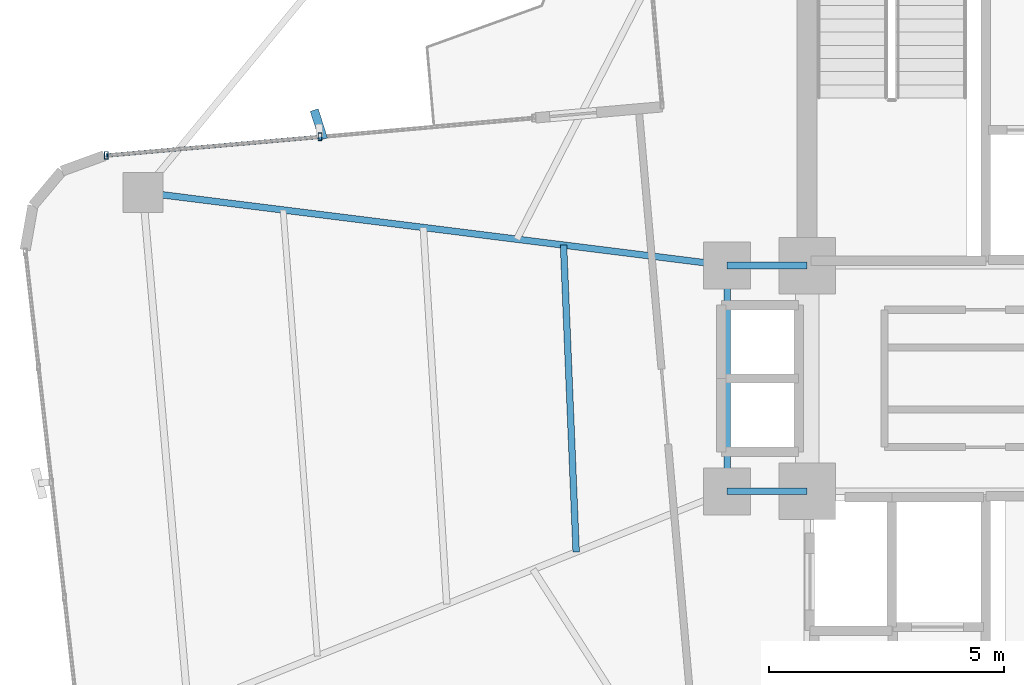
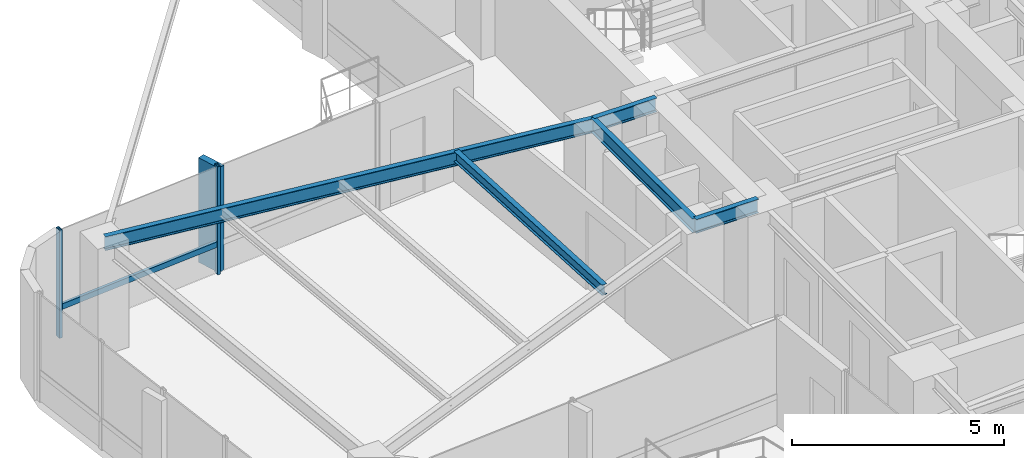
# One storey, part 9 of 24: 5 beams, 4 members, 1 element without a shape of its own.
"""IFC4 building model written with IfcOpenShell, lengths in metres."""

from ifc_helpers import new_model, si_unit, direction, frame, origin, origin_2d, place, context, subcontext, project, spatial, rectangle, hollow_rectangle, i_section, extrude, source, transform, mapped, material, material_profile, profile_set, type_object, element, aggregate, save


model = new_model("IFC4")

# Units and contexts
model_context = context("Model", 3, precision=1e-05, world=origin(), true_north=direction((0.0, 1.0)))
body_context = subcontext(model_context, "Body", "Model", "MODEL_VIEW")
ifc_project = project(units=[si_unit("LENGTHUNIT", "METRE"), si_unit("AREAUNIT", "SQUARE_METRE"), si_unit("VOLUMEUNIT", "CUBIC_METRE"), si_unit("PLANEANGLEUNIT", "RADIAN"), si_unit("MASSUNIT", "GRAM", prefix="KILO")], contexts=[model_context])

# Site, building, storey
site_placement = place(None, origin())
site = spatial("IfcSite", under=ifc_project, at=site_placement, CompositionType="ELEMENT")
building_placement = place(site_placement, origin())
building = spatial("IfcBuilding", under=site, at=building_placement, Name="Sahyath Konkavel Grand Hotel", CompositionType="ELEMENT")
storey_placement = place(building_placement, frame((0.0, 0.0, 160.64990234375)))
storey = spatial("IfcBuildingStorey", under=building, at=storey_placement, Name="L44", CompositionType="ELEMENT", Elevation=160.64990234375)

# Beams
ifc_material_1 = material(Name="Steel E350", Category="steel")
ifc_material_profile_1 = material_profile(ifc_material_1, i_section(OverallWidth=0.139892578125, OverallDepth=0.39990234375, WebThickness=0.0087890625, FlangeThickness=0.01611328125, FilletRadius=0.013916015625, at=origin_2d()), Name="ISMB 400")
ifc_profile_set_1 = profile_set([ifc_material_profile_1], Name="Steel E350")
beam_type_1 = type_object("IfcBeamType", Name="BM-ISMB400", PredefinedType="BEAM", material=ifc_profile_set_1)
shared_shape_1 = source(origin(), body_context, "Body", "SweptSolid", [
    extrude(i_section(OverallWidth=0.139892578125, OverallDepth=0.39990234375, WebThickness=0.0087890625, FlangeThickness=0.01611328125, FilletRadius=0.013916015625, at=origin_2d()), origin(), (0.0, 0.0, 1.0), 1.699951171875),
])
for number, where, z_axis, x_axis, name in (
    (1, (-5.5, 2.39990234375, 2.91015625), (1.0, 0.0, 0.0), (0.0, 1.0, 0.0), "str:bm:L44:HB-NW"),
    (2, (-5.5, -2.39990234375, 2.91015625), (1.0, 0.0, 0.0), (0.0, 1.0, 0.0), "str:bm:L44:HB-SW"),
):
    element("IfcBeam", number, at=place(storey_placement, frame(where, z_axis=z_axis, x_axis=x_axis)), inside=storey, type_object=beam_type_1, Name=name, PredefinedType="BEAM", context=body_context, shape_type="MappedRepresentation", body=[
        mapped(shared_shape_1, transform((0.0, 0.0, 0.0), scale=1.0)),
    ])
shared_shape_2 = source(origin(), body_context, "Body", "SweptSolid", [
    extrude(i_section(OverallWidth=0.139892578125, OverallDepth=0.39990234375, WebThickness=0.0087890625, FlangeThickness=0.01611328125, FilletRadius=0.013916015625, at=origin_2d()), origin(), (0.0, 0.0, 1.0), 4.7998046875),
])
beam_1_placement = place(storey_placement, frame((-5.5, -2.39990234375, 2.91015625), z_axis=(0.0, 1.0, 0.0), x_axis=(-1.0, 0.0, 0.0)))
element("IfcBeam", 3, at=beam_1_placement, inside=storey, type_object=beam_type_1, Name="str:bm:L44:HB-W", PredefinedType="BEAM", context=body_context, shape_type="MappedRepresentation", body=[
    mapped(shared_shape_2, transform((0.0, 0.0, 0.0), scale=1.0)),
])
shared_shape_3 = source(origin(), body_context, "Body", "SweptSolid", [
    extrude(i_section(OverallWidth=0.139892578125, OverallDepth=0.39990234375, WebThickness=0.0087890625, FlangeThickness=0.01611328125, FilletRadius=0.013916015625, at=origin_2d()), origin(), (0.0, 0.0, 1.0), 12.509765625),
])
beam_2_placement = place(storey_placement, frame((-5.5, 2.39990234375, 2.91015625), z_axis=(-0.992254740459, 0.124219684578, 0.0), x_axis=(-0.124219684578, -0.992254740459, 0.0)))
element("IfcBeam", 4, at=beam_2_placement, inside=storey, type_object=beam_type_1, Name="L44 Cruciform Radial Girder WA", PredefinedType="BEAM", context=body_context, shape_type="MappedRepresentation", body=[
    mapped(shared_shape_3, transform((0.0, 0.0, 0.0), scale=1.0)),
])
ifc_material_profile_2 = material_profile(ifc_material_1, i_section(OverallWidth=0.139892578125, OverallDepth=0.300048828125, WebThickness=0.0078125, FlangeThickness=0.01318359375, FilletRadius=0.013916015625, at=origin_2d()), Name="ISMB 300")
ifc_profile_set_2 = profile_set([ifc_material_profile_2], Name="Steel E350")
beam_type_2 = type_object("IfcBeamType", Name="BM-ISMB300", PredefinedType="BEAM", material=ifc_profile_set_2)
shared_shape_4 = source(origin(), body_context, "Body", "SweptSolid", [
    extrude(i_section(OverallWidth=0.139892578125, OverallDepth=0.300048828125, WebThickness=0.0078125, FlangeThickness=0.01318359375, FilletRadius=0.013916015625, at=origin_2d()), origin(), (0.0, 0.0, 1.0), 6.530029296875),
])
beam_3_placement = place(storey_placement, frame((-8.9755859375, 2.835205078125, 2.960205078125), z_axis=(0.04112667768, -0.999153940283, 0.0), x_axis=(0.999153940283, 0.04112667768, 0.0)))
element("IfcBeam", 5, at=beam_3_placement, inside=storey, type_object=beam_type_2, Name="L44 Secondary Floor Beam W-1", PredefinedType="BEAM", context=body_context, shape_type="MappedRepresentation", body=[
    mapped(shared_shape_4, transform((0.0, 0.0, 0.0), scale=1.0)),
])

# Curtain wall, members
ifc_material_2 = material(Name="Anodised Bronze Aluminium & Low-E Glazing", Category="aluminium")
curtain_wall_type = type_object("IfcCurtainWallType", Name="CW-ZONE3", PredefinedType="NOTDEFINED", material=ifc_material_2)
curtain_wall_placement = place(storey_placement, origin())
curtain_wall = element("IfcCurtainWall", 6, at=curtain_wall_placement, inside=storey, type_object=curtain_wall_type, Name="L44 Unitised Curtain Wall F16", PredefinedType="NOTDEFINED")
ifc_material_3 = material(Name="Warm Buff Sandstone Cladding on Concrete C50/60", Category="masonry")
ifc_material_profile_3 = material_profile(ifc_material_3, rectangle(XDim=0.179931640625, YDim=0.64990234375, at=origin_2d()), Name="FIN 180x650")
ifc_profile_set_3 = profile_set([ifc_material_profile_3], Name="Warm Buff Sandstone Cladding on Concrete C50/60")
member_type_1 = type_object("IfcMemberType", Name="FIN-SANDSTONE-650", PredefinedType="MULLION", material=ifc_profile_set_3)
shared_shape_5 = source(origin(), body_context, "Body", "SweptSolid", [
    extrude(rectangle(XDim=0.179931640625, YDim=0.64990234375, at=origin_2d()), origin(), (0.0, 0.0, 1.0), 3.010009765625),
])
member_1_placement = place(storey_placement, frame((-14.17431640625, 5.39501953125, 0.050048828125), z_axis=(0.0, 0.0, 1.0), x_axis=(0.952502159334, 0.304531831612, 0.0)))
member_1 = element("IfcMember", 7, at=member_1_placement, type_object=member_type_1, Name="L44 Sandstone Vertical Solar Fin FIN F16-1", PredefinedType="MULLION", context=body_context, shape_type="MappedRepresentation", body=[
    mapped(shared_shape_5, transform((0.0, 0.0, 0.0), scale=1.0)),
])
ifc_material_4 = material(Name="Anodised Bronze Aluminium", Category="aluminium")
ifc_material_profile_4 = material_profile(ifc_material_4, hollow_rectangle(XDim=0.080078125, YDim=0.159912109375, WallThickness=0.006103515625, at=origin_2d()), Name="RHS 160x80x6")
ifc_profile_set_4 = profile_set([ifc_material_profile_4], Name="Anodised Bronze Aluminium")
member_type_2 = type_object("IfcMemberType", Name="CW-MUL-160", PredefinedType="MULLION", material=ifc_profile_set_4)
shared_shape_6 = source(origin(), body_context, "Body", "SweptSolid", [
    extrude(hollow_rectangle(XDim=0.080078125, YDim=0.159912109375, WallThickness=0.006103515625, at=origin_2d()), origin(), (0.0, 0.0, 1.0), 3.110107421875),
])
member_2_placement = place(storey_placement, frame((-14.151611328125, 5.135986328125, 0.0), z_axis=(0.0, 0.0, 1.0), x_axis=(1.0, 0.0, 0.0)))
member_2 = element("IfcMember", 8, at=member_2_placement, type_object=member_type_2, Name="L44 Curtain Wall Mullion F16-1", PredefinedType="MULLION", context=body_context, shape_type="MappedRepresentation", body=[
    mapped(shared_shape_6, transform((0.0, 0.0, 0.0), scale=1.0)),
])
member_3_placement = place(storey_placement, frame((-18.694091796875, 4.73876953125, 0.0), z_axis=(0.0, 0.0, 1.0), x_axis=(1.0, 0.0, 0.0)))
member_3 = element("IfcMember", 9, at=member_3_placement, type_object=member_type_2, Name="L44 Curtain Wall Mullion F16-2", PredefinedType="MULLION", context=body_context, shape_type="MappedRepresentation", body=[
    mapped(shared_shape_6, transform((0.0, 0.0, 0.0), scale=1.0)),
])
ifc_material_profile_5 = material_profile(ifc_material_4, hollow_rectangle(XDim=0.080078125, YDim=0.159912109375, WallThickness=0.006103515625, at=origin_2d()), Name="RHS 160x80x6")
ifc_profile_set_5 = profile_set([ifc_material_profile_5], Name="Anodised Bronze Aluminium")
member_type_3 = type_object("IfcMemberType", Name="CW-TRN-160", PredefinedType="USERDEFINED", material=ifc_profile_set_5)
shared_shape_7 = source(origin(), body_context, "Body", "SweptSolid", [
    extrude(hollow_rectangle(XDim=0.080078125, YDim=0.159912109375, WallThickness=0.006103515625, at=origin_2d()), origin(), (0.0, 0.0, 1.0), 4.559814453125),
])
member_4_placement = place(storey_placement, frame((-14.151611328125, 5.135986328125, 0.85009765625), z_axis=(-0.99619848155, -0.087112486804, 0.0), x_axis=(0.087112486804, -0.99619848155, 0.0)))
member_4 = element("IfcMember", 10, at=member_4_placement, type_object=member_type_3, Name="L44 Curtain Wall Transom F16-1-spandrel", ObjectType="TRANSOM", PredefinedType="USERDEFINED", context=body_context, shape_type="MappedRepresentation", body=[
    mapped(shared_shape_7, transform((0.0, 0.0, 0.0), scale=1.0)),
])
aggregate(curtain_wall, [member_2, member_1, member_3, member_4])

save(model, "model.ifc")
